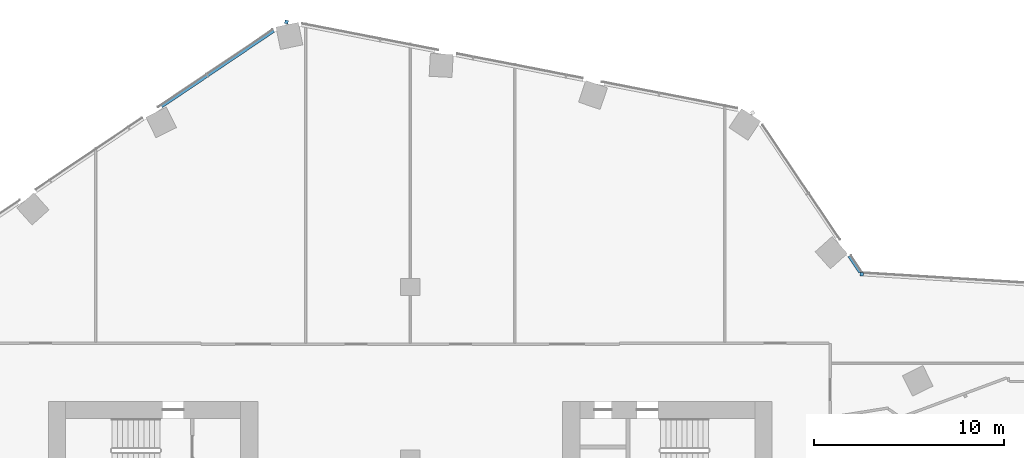
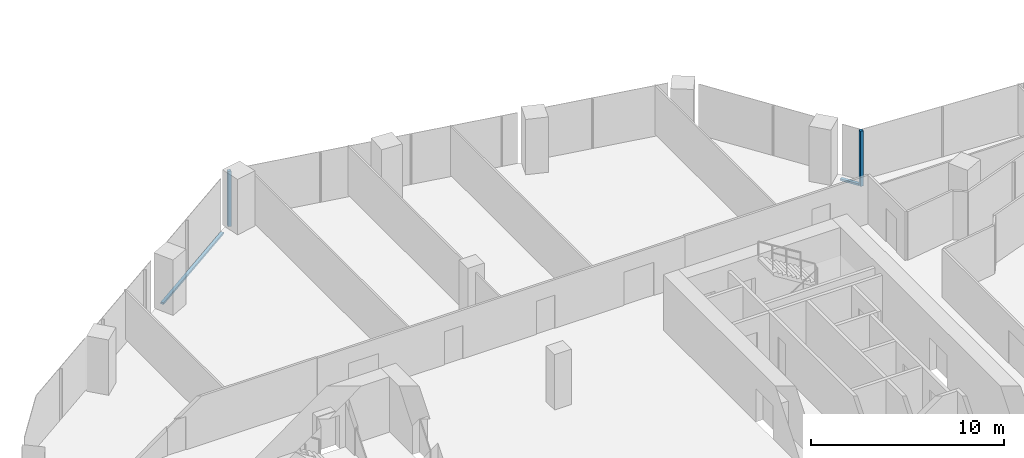
# One storey, part 11 of 32: 4 members, 4 elements without a shape of their own.
"""IFC4 building model written with IfcOpenShell, lengths in metres."""

from ifc_helpers import new_model, si_unit, direction, frame, origin, origin_2d, place, context, subcontext, project, spatial, rectangle, extrude, material, material_profile, profile_set, type_object, element, aggregate, save


model = new_model("IFC4")

# Units and contexts
model_context = context("Model", 3, precision=1e-05, world=origin(), true_north=direction((0.0, 1.0)))
body_context = subcontext(model_context, "Body", "Model", "MODEL_VIEW")
ifc_project = project(units=[si_unit("LENGTHUNIT", "METRE"), si_unit("AREAUNIT", "SQUARE_METRE"), si_unit("VOLUMEUNIT", "CUBIC_METRE"), si_unit("PLANEANGLEUNIT", "RADIAN"), si_unit("MASSUNIT", "GRAM", prefix="KILO")], contexts=[model_context])

# Site, building, storey
site_placement = place(None, origin())
site = spatial("IfcSite", under=ifc_project, at=site_placement, CompositionType="ELEMENT")
building_placement = place(site_placement, origin())
building = spatial("IfcBuilding", under=site, at=building_placement, Name="Orlundy Tower", CompositionType="ELEMENT")
storey_placement = place(building_placement, frame((0.0, 0.0, 152.60009765625)))
storey = spatial("IfcBuildingStorey", under=building, at=storey_placement, Name="L39", CompositionType="ELEMENT", Elevation=152.60009765625)

# Curtain wall, member
ifc_material_1 = material(Name="Aluminium bronze anodised", Category="aluminium")
curtain_wall_type = type_object("IfcCurtainWallType", Name="CW1 wall", PredefinedType="NOTDEFINED", material=ifc_material_1)
curtain_wall_1_placement = place(storey_placement, origin())
curtain_wall_1 = element("IfcCurtainWall", 1, at=curtain_wall_1_placement, inside=storey, type_object=curtain_wall_type, Name="CW1 run 016", PredefinedType="NOTDEFINED")
ifc_material_2 = material(Name="Aluminium bronze anodised", Category="aluminium")
ifc_material_profile_1 = material_profile(ifc_material_2, rectangle(XDim=0.179931640625, YDim=0.179931640625, at=origin_2d()), Name="CW1 corner post 180x180")
ifc_profile_set_1 = profile_set([ifc_material_profile_1], Name="Aluminium bronze anodised")
member_type_1 = type_object("IfcMemberType", Name="CW1 corner post 180x180", PredefinedType="MULLION", material=ifc_profile_set_1)
member_1_placement = place(storey_placement, frame((-6.493408203125, 31.91552734375, -0.400146484375), z_axis=(0.0, 0.0, 1.0), x_axis=(0.19080503976, 0.981627952333, 0.0)))
member_1 = element("IfcMember", 2, at=member_1_placement, type_object=member_type_1, Name="CW1 mullion 44", PredefinedType="MULLION", context=body_context, shape_type="SweptSolid", body=[
    extrude(rectangle(XDim=0.179931640625, YDim=0.179931640625, at=origin_2d()), origin(), (0.0, 0.0, 1.0), 3.5),
])
aggregate(curtain_wall_1, [member_1])

curtain_wall_2_placement = place(storey_placement, origin())
curtain_wall_2 = element("IfcCurtainWall", 3, at=curtain_wall_2_placement, inside=storey, type_object=curtain_wall_type, Name="CW1 run 018", PredefinedType="NOTDEFINED")
member_2_placement = place(storey_placement, frame((23.69677734375, 18.67822265625, -0.400146484375), z_axis=(0.0, 0.0, 1.0), x_axis=(0.061053768107, 0.998134478615, 0.0)))
member_2 = element("IfcMember", 4, at=member_2_placement, type_object=member_type_1, Name="CW1 mullion 51", PredefinedType="MULLION", context=body_context, shape_type="SweptSolid", body=[
    extrude(rectangle(XDim=0.179931640625, YDim=0.179931640625, at=origin_2d()), origin(), (0.0, 0.0, 1.0), 3.5),
])
aggregate(curtain_wall_2, [member_2])

curtain_wall_3_placement = place(storey_placement, origin())
curtain_wall_3 = element("IfcCurtainWall", 5, at=curtain_wall_3_placement, inside=storey, type_object=curtain_wall_type, Name="CW1 run 015", PredefinedType="NOTDEFINED")
ifc_material_3 = material(Name="Aluminium bronze anodised", Category="aluminium")
ifc_material_profile_2 = material_profile(ifc_material_3, rectangle(XDim=0.179931640625, YDim=0.1201171875, at=origin_2d()), Name="CW1 transom 180x120")
ifc_profile_set_2 = profile_set([ifc_material_profile_2], Name="Aluminium bronze anodised")
member_type_2 = type_object("IfcMemberType", Name="CW1 transom 180x120", PredefinedType="USERDEFINED", material=ifc_profile_set_2)
member_3_placement = place(storey_placement, frame((-13.05615234375, 27.48876953125, -0.340087890625), z_axis=(0.829040638781, 0.559188357576, 0.0), x_axis=(-0.559188357576, 0.829040638781, 0.0)))
member_3 = element("IfcMember", 6, at=member_3_placement, type_object=member_type_2, Name="CW1 transom", ObjectType="TRANSOM", PredefinedType="USERDEFINED", context=body_context, shape_type="SweptSolid", body=[
    extrude(rectangle(XDim=0.179931640625, YDim=0.1201171875, at=origin_2d()), origin(), (0.0, 0.0, 1.0), 7.104736328125),
])
aggregate(curtain_wall_3, [member_3])

curtain_wall_4_placement = place(storey_placement, origin())
curtain_wall_4 = element("IfcCurtainWall", 7, at=curtain_wall_4_placement, inside=storey, type_object=curtain_wall_type, Name="CW1 run 017", PredefinedType="NOTDEFINED")
member_4_placement = place(storey_placement, frame((23.0458984375, 19.64306640625, -0.340087890625), z_axis=(0.559197395463, -0.82903454265, 0.0), x_axis=(0.82903454265, 0.559197395463, 0.0)))
member_4 = element("IfcMember", 8, at=member_4_placement, type_object=member_type_2, Name="CW1 transom", ObjectType="TRANSOM", PredefinedType="USERDEFINED", context=body_context, shape_type="SweptSolid", body=[
    extrude(rectangle(XDim=0.179931640625, YDim=0.1201171875, at=origin_2d()), origin(), (0.0, 0.0, 1.0), 1.050537109375),
])
aggregate(curtain_wall_4, [member_4])

save(model, "model.ifc")
